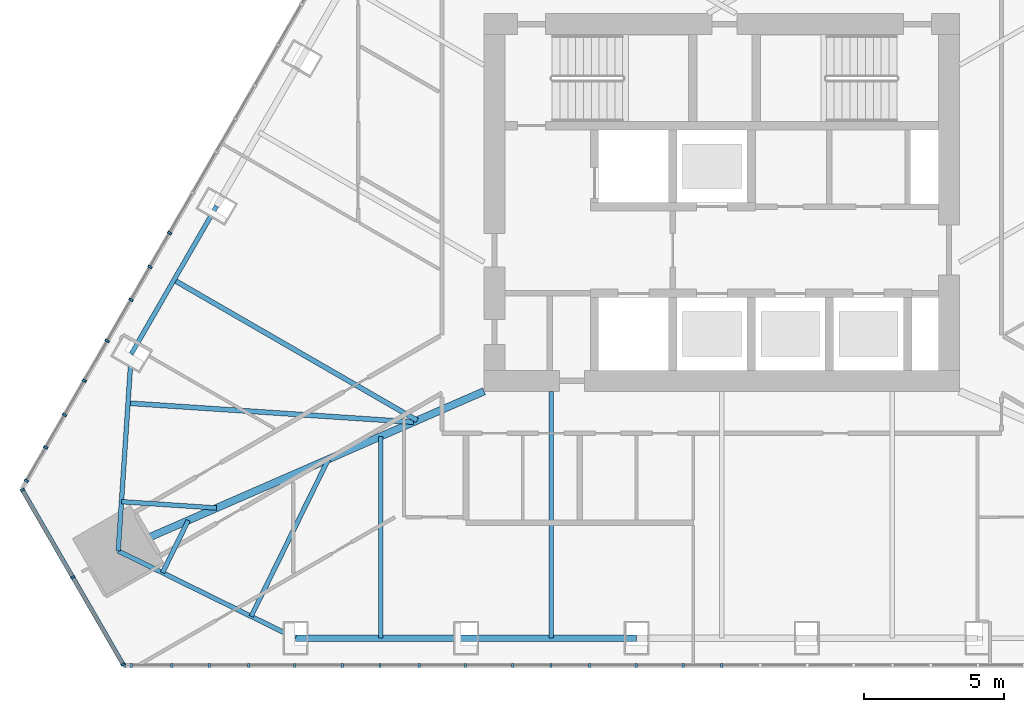
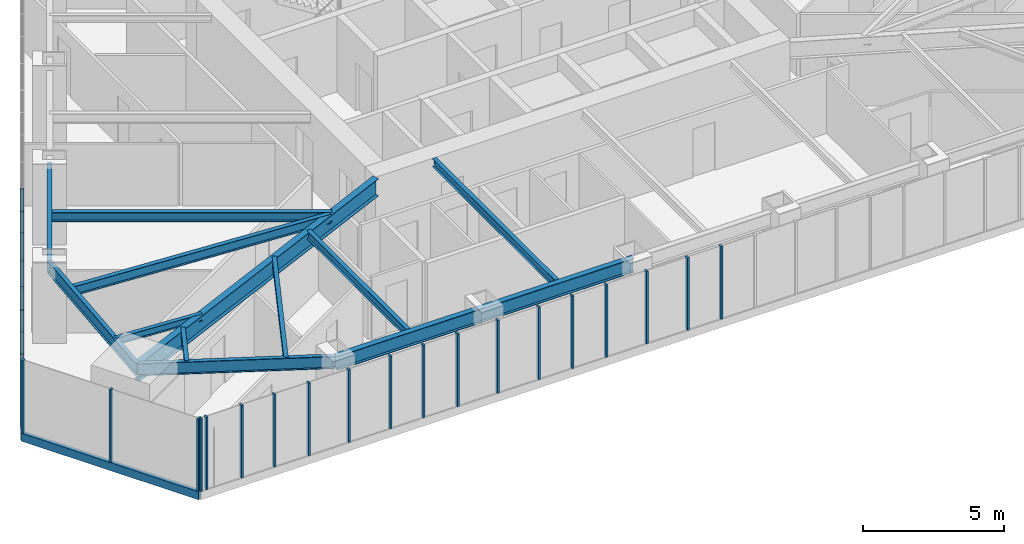
# One storey, part 2 of 20: 28 members, 12 beams, 3 elements without a shape of their own.
"""IFC4 building model written with IfcOpenShell, lengths in metres."""

from ifc_helpers import new_model, si_unit, direction, frame, origin, origin_2d, place, context, subcontext, project, spatial, rectangle, i_section, extrude, material, layer, layer_set, material_profile, profile_set, type_object, element, aggregate, save


model = new_model("IFC4")

# Units and contexts
model_context = context("Model", 3, precision=1e-05, world=origin(), true_north=direction((0.0, 1.0)))
body_context = subcontext(model_context, "Body", "Model", "MODEL_VIEW")
ifc_project = project(units=[si_unit("LENGTHUNIT", "METRE"), si_unit("AREAUNIT", "SQUARE_METRE"), si_unit("VOLUMEUNIT", "CUBIC_METRE"), si_unit("PLANEANGLEUNIT", "RADIAN"), si_unit("MASSUNIT", "GRAM", prefix="KILO")], contexts=[model_context])

# Site, building, storey
site_placement = place(None, origin())
site = spatial("IfcSite", under=ifc_project, at=site_placement, CompositionType="ELEMENT")
building_placement = place(site_placement, origin())
building = spatial("IfcBuilding", under=site, at=building_placement, Name="Firuza Gate Tower and Library", CompositionType="ELEMENT")
storey_placement = place(building_placement, frame((0.0, 0.0, 305.60009765625)))
storey = spatial("IfcBuildingStorey", under=building, at=storey_placement, Name="L74", CompositionType="ELEMENT", Elevation=305.60009765625)

# Curtain wall, members
ifc_material_1 = material(Name="Aluminium 6063-T6", Category="aluminium")
ifc_layer_1 = layer(ifc_material_1, 0.14990234375)
ifc_layer_set_1 = layer_set([ifc_layer_1], Name="Unitised curtain wall, residences")
curtain_wall_type_1 = type_object("IfcCurtainWallType", Name="Unitised curtain wall, residences", PredefinedType="NOTDEFINED", material=ifc_layer_set_1)
placement = place(storey_placement, origin())
curtain_wall_1 = element("IfcCurtainWall", 1, at=placement, inside=storey, type_object=curtain_wall_type_1, Name="CW3 L74 S face", PredefinedType="NOTDEFINED")
ifc_material_2 = material(Name="Aluminium 6063-T6", Category="aluminium")
ifc_material_profile_1 = material_profile(ifc_material_2, rectangle(XDim=0.14990234375, YDim=0.080078125, at=origin_2d()))
ifc_profile_set_1 = profile_set([ifc_material_profile_1], Name="Aluminium 6063-T6")
member_type_1 = type_object("IfcMemberType", Name="Curtain wall mullion 80x150", PredefinedType="MULLION", material=ifc_profile_set_1)
member_1_placement = place(storey_placement, frame((53.66064453125, 58.44970703125, 0.14990234375), z_axis=(0.0, 0.0, 1.0), x_axis=(0.0, 1.0, 0.0)))
member_1 = element("IfcMember", 2, at=member_1_placement, type_object=member_type_1, Name="Mullion", PredefinedType="MULLION", context=body_context, shape_type="SweptSolid", body=[
    extrude(rectangle(XDim=0.14990234375, YDim=0.080078125, at=origin_2d()), origin(), (0.0, 0.0, 1.0), 3.14990234375),
])
member_2_placement = place(storey_placement, frame((56.6748046875, 58.44970703125, 0.14990234375), z_axis=(0.0, 0.0, 1.0), x_axis=(0.0, 1.0, 0.0)))
member_2 = element("IfcMember", 3, at=member_2_placement, type_object=member_type_1, Name="Mullion", PredefinedType="MULLION", context=body_context, shape_type="SweptSolid", body=[
    extrude(rectangle(XDim=0.14990234375, YDim=0.080078125, at=origin_2d()), origin(), (0.0, 0.0, 1.0), 3.14990234375),
])
member_3_placement = place(storey_placement, frame((59.72900390625, 58.44970703125, 0.14990234375), z_axis=(0.0, 0.0, 1.0), x_axis=(0.0, 1.0, 0.0)))
member_3 = element("IfcMember", 4, at=member_3_placement, type_object=member_type_1, Name="Mullion", PredefinedType="MULLION", context=body_context, shape_type="SweptSolid", body=[
    extrude(rectangle(XDim=0.14990234375, YDim=0.080078125, at=origin_2d()), origin(), (0.0, 0.0, 1.0), 3.14990234375),
])
member_4_placement = place(storey_placement, frame((62.783203125, 58.44970703125, 0.14990234375), z_axis=(0.0, 0.0, 1.0), x_axis=(0.0, 1.0, 0.0)))
member_4 = element("IfcMember", 5, at=member_4_placement, type_object=member_type_1, Name="Mullion", PredefinedType="MULLION", context=body_context, shape_type="SweptSolid", body=[
    extrude(rectangle(XDim=0.14990234375, YDim=0.080078125, at=origin_2d()), origin(), (0.0, 0.0, 1.0), 3.14990234375),
])
member_5_placement = place(storey_placement, frame((65.83740234375, 58.44970703125, 0.14990234375), z_axis=(0.0, 0.0, 1.0), x_axis=(0.0, 1.0, 0.0)))
member_5 = element("IfcMember", 6, at=member_5_placement, type_object=member_type_1, Name="Mullion", PredefinedType="MULLION", context=body_context, shape_type="SweptSolid", body=[
    extrude(rectangle(XDim=0.14990234375, YDim=0.080078125, at=origin_2d()), origin(), (0.0, 0.0, 1.0), 3.14990234375),
])
member_6_placement = place(storey_placement, frame((68.8916015625, 58.44970703125, 0.14990234375), z_axis=(0.0, 0.0, 1.0), x_axis=(0.0, 1.0, 0.0)))
member_6 = element("IfcMember", 7, at=member_6_placement, type_object=member_type_1, Name="Mullion", PredefinedType="MULLION", context=body_context, shape_type="SweptSolid", body=[
    extrude(rectangle(XDim=0.14990234375, YDim=0.080078125, at=origin_2d()), origin(), (0.0, 0.0, 1.0), 3.14990234375),
])
member_7_placement = place(storey_placement, frame((71.94580078125, 58.44970703125, 0.14990234375), z_axis=(0.0, 0.0, 1.0), x_axis=(0.0, 1.0, 0.0)))
member_7 = element("IfcMember", 8, at=member_7_placement, type_object=member_type_1, Name="Mullion", PredefinedType="MULLION", context=body_context, shape_type="SweptSolid", body=[
    extrude(rectangle(XDim=0.14990234375, YDim=0.080078125, at=origin_2d()), origin(), (0.0, 0.0, 1.0), 3.14990234375),
])
member_8_placement = place(storey_placement, frame((75.0, 58.44970703125, 0.14990234375), z_axis=(0.0, 0.0, 1.0), x_axis=(0.0, 1.0, 0.0)))
member_8 = element("IfcMember", 9, at=member_8_placement, type_object=member_type_1, Name="Mullion", PredefinedType="MULLION", context=body_context, shape_type="SweptSolid", body=[
    extrude(rectangle(XDim=0.14990234375, YDim=0.080078125, at=origin_2d()), origin(), (0.0, 0.0, 1.0), 3.14990234375),
])
member_9_placement = place(storey_placement, frame((53.88671875, 58.44970703125, 0.14990234375), z_axis=(0.0, 0.0, 1.0), x_axis=(0.0, 1.0, 0.0)))
member_9 = element("IfcMember", 10, at=member_9_placement, type_object=member_type_1, Name="Mullion", PredefinedType="MULLION", context=body_context, shape_type="SweptSolid", body=[
    extrude(rectangle(XDim=0.14990234375, YDim=0.080078125, at=origin_2d()), origin(), (0.0, 0.0, 1.0), 3.14990234375),
])
member_10_placement = place(storey_placement, frame((55.33349609375, 58.44970703125, 0.14990234375), z_axis=(0.0, 0.0, 1.0), x_axis=(0.0, 1.0, 0.0)))
member_10 = element("IfcMember", 11, at=member_10_placement, type_object=member_type_1, Name="Mullion", PredefinedType="MULLION", context=body_context, shape_type="SweptSolid", body=[
    extrude(rectangle(XDim=0.14990234375, YDim=0.080078125, at=origin_2d()), origin(), (0.0, 0.0, 1.0), 3.14990234375),
])
member_11_placement = place(storey_placement, frame((58.090576171875, 58.44970703125, 0.14990234375), z_axis=(0.0, 0.0, 1.0), x_axis=(0.0, 1.0, 0.0)))
member_11 = element("IfcMember", 12, at=member_11_placement, type_object=member_type_1, Name="Mullion", PredefinedType="MULLION", context=body_context, shape_type="SweptSolid", body=[
    extrude(rectangle(XDim=0.14990234375, YDim=0.080078125, at=origin_2d()), origin(), (0.0, 0.0, 1.0), 3.14990234375),
])
member_12_placement = place(storey_placement, frame((61.429443359375, 58.44970703125, 0.14990234375), z_axis=(0.0, 0.0, 1.0), x_axis=(0.0, 1.0, 0.0)))
member_12 = element("IfcMember", 13, at=member_12_placement, type_object=member_type_1, Name="Mullion", PredefinedType="MULLION", context=body_context, shape_type="SweptSolid", body=[
    extrude(rectangle(XDim=0.14990234375, YDim=0.080078125, at=origin_2d()), origin(), (0.0, 0.0, 1.0), 3.14990234375),
])
member_13_placement = place(storey_placement, frame((64.1865234375, 58.44970703125, 0.14990234375), z_axis=(0.0, 0.0, 1.0), x_axis=(0.0, 1.0, 0.0)))
member_13 = element("IfcMember", 14, at=member_13_placement, type_object=member_type_1, Name="Mullion", PredefinedType="MULLION", context=body_context, shape_type="SweptSolid", body=[
    extrude(rectangle(XDim=0.14990234375, YDim=0.080078125, at=origin_2d()), origin(), (0.0, 0.0, 1.0), 3.14990234375),
])
member_14_placement = place(storey_placement, frame((67.525390625, 58.44970703125, 0.14990234375), z_axis=(0.0, 0.0, 1.0), x_axis=(0.0, 1.0, 0.0)))
member_14 = element("IfcMember", 15, at=member_14_placement, type_object=member_type_1, Name="Mullion", PredefinedType="MULLION", context=body_context, shape_type="SweptSolid", body=[
    extrude(rectangle(XDim=0.14990234375, YDim=0.080078125, at=origin_2d()), origin(), (0.0, 0.0, 1.0), 3.14990234375),
])
member_15_placement = place(storey_placement, frame((70.28271484375, 58.44970703125, 0.14990234375), z_axis=(0.0, 0.0, 1.0), x_axis=(0.0, 1.0, 0.0)))
member_15 = element("IfcMember", 16, at=member_15_placement, type_object=member_type_1, Name="Mullion", PredefinedType="MULLION", context=body_context, shape_type="SweptSolid", body=[
    extrude(rectangle(XDim=0.14990234375, YDim=0.080078125, at=origin_2d()), origin(), (0.0, 0.0, 1.0), 3.14990234375),
])
member_16_placement = place(storey_placement, frame((73.621337890625, 58.44970703125, 0.14990234375), z_axis=(0.0, 0.0, 1.0), x_axis=(0.0, 1.0, 0.0)))
member_16 = element("IfcMember", 17, at=member_16_placement, type_object=member_type_1, Name="Mullion", PredefinedType="MULLION", context=body_context, shape_type="SweptSolid", body=[
    extrude(rectangle(XDim=0.14990234375, YDim=0.080078125, at=origin_2d()), origin(), (0.0, 0.0, 1.0), 3.14990234375),
])
aggregate(curtain_wall_1, [member_1, member_2, member_3, member_4, member_5, member_6, member_7, member_8, member_9, member_10, member_11, member_12, member_13, member_14, member_15, member_16])

curtain_wall_2 = element("IfcCurtainWall", 18, at=placement, inside=storey, type_object=curtain_wall_type_1, Name="CW3 L74 W face", PredefinedType="NOTDEFINED")
member_17_placement = place(storey_placement, frame((54.55859375, 72.695068359375, 0.14990234375), z_axis=(0.0, 0.0, 1.0), x_axis=(0.866025403784, -0.5, 0.0)))
member_17 = element("IfcMember", 19, at=member_17_placement, type_object=member_type_1, Name="Mullion", PredefinedType="MULLION", context=body_context, shape_type="SweptSolid", body=[
    extrude(rectangle(XDim=0.14990234375, YDim=0.080078125, at=origin_2d()), origin(), (0.0, 0.0, 1.0), 3.14990234375),
])
member_18_placement = place(storey_placement, frame((53.031494140625, 70.050048828125, 0.14990234375), z_axis=(0.0, 0.0, 1.0), x_axis=(0.866025403784, -0.5, 0.0)))
member_18 = element("IfcMember", 20, at=member_18_placement, type_object=member_type_1, Name="Mullion", PredefinedType="MULLION", context=body_context, shape_type="SweptSolid", body=[
    extrude(rectangle(XDim=0.14990234375, YDim=0.080078125, at=origin_2d()), origin(), (0.0, 0.0, 1.0), 3.14990234375),
])
member_19_placement = place(storey_placement, frame((51.50439453125, 67.405029296875, 0.14990234375), z_axis=(0.0, 0.0, 1.0), x_axis=(0.866025403784, -0.5, 0.0)))
member_19 = element("IfcMember", 21, at=member_19_placement, type_object=member_type_1, Name="Mullion", PredefinedType="MULLION", context=body_context, shape_type="SweptSolid", body=[
    extrude(rectangle(XDim=0.14990234375, YDim=0.080078125, at=origin_2d()), origin(), (0.0, 0.0, 1.0), 3.14990234375),
])
member_20_placement = place(storey_placement, frame((55.26025390625, 73.910400390625, 0.14990234375), z_axis=(0.0, 0.0, 1.0), x_axis=(0.866025403784, -0.5, 0.0)))
member_20 = element("IfcMember", 22, at=member_20_placement, type_object=member_type_1, Name="Mullion", PredefinedType="MULLION", context=body_context, shape_type="SweptSolid", body=[
    extrude(rectangle(XDim=0.14990234375, YDim=0.080078125, at=origin_2d()), origin(), (0.0, 0.0, 1.0), 3.14990234375),
])
member_21_placement = place(storey_placement, frame((53.8818359375, 71.522705078125, 0.14990234375), z_axis=(0.0, 0.0, 1.0), x_axis=(0.866025403784, -0.5, 0.0)))
member_21 = element("IfcMember", 23, at=member_21_placement, type_object=member_type_1, Name="Mullion", PredefinedType="MULLION", context=body_context, shape_type="SweptSolid", body=[
    extrude(rectangle(XDim=0.14990234375, YDim=0.080078125, at=origin_2d()), origin(), (0.0, 0.0, 1.0), 3.14990234375),
])
member_22_placement = place(storey_placement, frame((52.21240234375, 68.631103515625, 0.14990234375), z_axis=(0.0, 0.0, 1.0), x_axis=(0.866025403784, -0.5, 0.0)))
member_22 = element("IfcMember", 24, at=member_22_placement, type_object=member_type_1, Name="Mullion", PredefinedType="MULLION", context=body_context, shape_type="SweptSolid", body=[
    extrude(rectangle(XDim=0.14990234375, YDim=0.080078125, at=origin_2d()), origin(), (0.0, 0.0, 1.0), 3.14990234375),
])
member_23_placement = place(storey_placement, frame((50.833740234375, 66.243408203125, 0.14990234375), z_axis=(0.0, 0.0, 1.0), x_axis=(0.866025403784, -0.5, 0.0)))
member_23 = element("IfcMember", 25, at=member_23_placement, type_object=member_type_1, Name="Mullion", PredefinedType="MULLION", context=body_context, shape_type="SweptSolid", body=[
    extrude(rectangle(XDim=0.14990234375, YDim=0.080078125, at=origin_2d()), origin(), (0.0, 0.0, 1.0), 3.14990234375),
])
member_24_placement = place(storey_placement, frame((50.14306640625, 65.046875, 0.14990234375), z_axis=(0.0, 0.0, 1.0), x_axis=(0.866025403784, -0.5, 0.0)))
member_24 = element("IfcMember", 26, at=member_24_placement, type_object=member_type_1, Name="Mullion", PredefinedType="MULLION", context=body_context, shape_type="SweptSolid", body=[
    extrude(rectangle(XDim=0.14990234375, YDim=0.080078125, at=origin_2d()), origin(), (0.0, 0.0, 1.0), 3.14990234375),
])
aggregate(curtain_wall_2, [member_17, member_18, member_19, member_20, member_21, member_22, member_23, member_24])

ifc_material_3 = material(Name="Aluminium 6063-T6", Category="aluminium")
ifc_layer_2 = layer(ifc_material_3, 0.14990234375)
ifc_layer_set_2 = layer_set([ifc_layer_2], Name="Corner curtain wall, chamfers")
curtain_wall_type_2 = type_object("IfcCurtainWallType", Name="Corner curtain wall, chamfers", PredefinedType="NOTDEFINED", material=ifc_layer_set_2)
curtain_wall_3 = element("IfcCurtainWall", 27, at=placement, inside=storey, type_object=curtain_wall_type_2, Name="CW4 L74 SW corner", PredefinedType="NOTDEFINED")
member_25_placement = place(storey_placement, frame((49.997314453125, 64.7255859375, 0.14990234375), z_axis=(0.0, 0.0, 1.0), x_axis=(0.866025403784, 0.5, 0.0)))
member_25 = element("IfcMember", 28, at=member_25_placement, type_object=member_type_1, Name="Mullion", PredefinedType="MULLION", context=body_context, shape_type="SweptSolid", body=[
    extrude(rectangle(XDim=0.14990234375, YDim=0.080078125, at=origin_2d()), origin(), (0.0, 0.0, 1.0), 3.14990234375),
])
member_26_placement = place(storey_placement, frame((51.799072265625, 61.60498046875, 0.14990234375), z_axis=(0.0, 0.0, 1.0), x_axis=(0.866025403784, 0.5, 0.0)))
member_26 = element("IfcMember", 29, at=member_26_placement, type_object=member_type_1, Name="Mullion", PredefinedType="MULLION", context=body_context, shape_type="SweptSolid", body=[
    extrude(rectangle(XDim=0.14990234375, YDim=0.080078125, at=origin_2d()), origin(), (0.0, 0.0, 1.0), 3.14990234375),
])
member_27_placement = place(storey_placement, frame((53.6005859375, 58.484375, 0.14990234375), z_axis=(0.0, 0.0, 1.0), x_axis=(0.866025403784, 0.5, 0.0)))
member_27 = element("IfcMember", 30, at=member_27_placement, type_object=member_type_1, Name="Mullion", PredefinedType="MULLION", context=body_context, shape_type="SweptSolid", body=[
    extrude(rectangle(XDim=0.14990234375, YDim=0.080078125, at=origin_2d()), origin(), (0.0, 0.0, 1.0), 3.14990234375),
])
ifc_material_4 = material(Name="Aluminium 6063-T6", Category="aluminium")
ifc_material_profile_2 = material_profile(ifc_material_4, rectangle(XDim=0.14990234375, YDim=0.35009765625, at=origin_2d()))
ifc_profile_set_2 = profile_set([ifc_material_profile_2], Name="Aluminium 6063-T6")
member_type_2 = type_object("IfcMemberType", Name="Curtain wall transom 350x150", PredefinedType="USERDEFINED", material=ifc_profile_set_2)
member_28_placement = place(storey_placement, frame((49.977294921875, 64.760009765625, -0.025146484375), z_axis=(0.500005719219, -0.866022101766, 0.0), x_axis=(0.866022101766, 0.500005719219, 0.0)))
member_28 = element("IfcMember", 31, at=member_28_placement, type_object=member_type_2, Name="Transom", ObjectType="TRANSOM", PredefinedType="USERDEFINED", context=body_context, shape_type="SweptSolid", body=[
    extrude(rectangle(XDim=0.14990234375, YDim=0.35009765625, at=origin_2d()), origin(), (0.0, 0.0, 1.0), 7.28662109375),
])
aggregate(curtain_wall_3, [member_25, member_26, member_27, member_28])

# Beams
ifc_material_5 = material(Name="Steel S355", Category="steel")
ifc_material_profile_3 = material_profile(ifc_material_5, i_section(OverallWidth=0.1650390625, OverallDepth=0.31005859375, WebThickness=0.005859375, FlangeThickness=0.009765625, at=origin_2d()))
ifc_profile_set_3 = profile_set([ifc_material_profile_3], Name="Steel S355")
beam_type_1 = type_object("IfcBeamType", Name="W310x39 Floor beam", PredefinedType="JOIST", material=ifc_profile_set_3)
beam_1_placement = place(storey_placement, frame((53.5400390625, 64.30419921875, 3.14501953125), z_axis=(0.997798132609, -0.066324102419, 0.0), x_axis=(0.066324102419, 0.997798132609, 0.0)))
element("IfcBeam", 32, at=beam_1_placement, inside=storey, type_object=beam_type_1, Name="Floor beam L74 s01", PredefinedType="JOIST", context=body_context, shape_type="SweptSolid", body=[
    extrude(i_section(OverallWidth=0.1650390625, OverallDepth=0.31005859375, WebThickness=0.005859375, FlangeThickness=0.009765625, at=origin_2d()), origin(), (0.0, 0.0, 1.0), 3.40869140625),
])
beam_2_placement = place(storey_placement, frame((55.007080078125, 61.762939453125, 3.14501953125), z_axis=(0.44149718948, 0.8972626325, 0.0), x_axis=(-0.8972626325, 0.44149718948, 0.0)))
element("IfcBeam", 33, at=beam_2_placement, inside=storey, type_object=beam_type_1, Name="Floor beam L74 s10", PredefinedType="JOIST", context=body_context, shape_type="SweptSolid", body=[
    extrude(i_section(OverallWidth=0.1650390625, OverallDepth=0.31005859375, WebThickness=0.005859375, FlangeThickness=0.009765625, at=origin_2d()), origin(), (0.0, 0.0, 1.0), 2.08740234375),
])
beam_3_placement = place(storey_placement, frame((58.17578125, 60.2041015625, 3.14501953125), z_axis=(0.44141897367, 0.897301114278, 0.0), x_axis=(-0.897301114278, 0.44141897367, 0.0)))
element("IfcBeam", 34, at=beam_3_placement, inside=storey, type_object=beam_type_1, Name="Floor beam L74 s11", PredefinedType="JOIST", context=body_context, shape_type="SweptSolid", body=[
    extrude(i_section(OverallWidth=0.1650390625, OverallDepth=0.31005859375, WebThickness=0.005859375, FlangeThickness=0.009765625, at=origin_2d()), origin(), (0.0, 0.0, 1.0), 6.262451171875),
])
ifc_material_6 = material(Name="Steel S355", Category="steel")
ifc_material_profile_4 = material_profile(ifc_material_6, i_section(OverallWidth=0.1708984375, OverallDepth=0.35498046875, WebThickness=0.007080078125, FlangeThickness=0.01171875, at=origin_2d()))
ifc_profile_set_4 = profile_set([ifc_material_profile_4], Name="Steel S355")
beam_type_2 = type_object("IfcBeamType", Name="W360x51 Floor beam", PredefinedType="JOIST", material=ifc_profile_set_4)
beam_4_placement = place(storey_placement, frame((62.80810546875, 59.4248046875, 3.122314453125), z_axis=(0.0, 1.0, 0.0), x_axis=(-1.0, 0.0, 0.0)))
element("IfcBeam", 35, at=beam_4_placement, inside=storey, type_object=beam_type_2, Name="Floor beam L74 s20", PredefinedType="JOIST", context=body_context, shape_type="SweptSolid", body=[
    extrude(i_section(OverallWidth=0.1708984375, OverallDepth=0.35498046875, WebThickness=0.007080078125, FlangeThickness=0.01171875, at=origin_2d()), origin(), (0.0, 0.0, 1.0), 7.2138671875),
])
beam_5_placement = place(storey_placement, frame((68.904052734375, 59.4248046875, 3.122314453125), z_axis=(0.0, 1.0, 0.0), x_axis=(-1.0, 0.0, 0.0)))
element("IfcBeam", 36, at=beam_5_placement, inside=storey, type_object=beam_type_2, Name="Floor beam L74 s21", PredefinedType="JOIST", context=body_context, shape_type="SweptSolid", body=[
    extrude(i_section(OverallWidth=0.1708984375, OverallDepth=0.35498046875, WebThickness=0.007080078125, FlangeThickness=0.01171875, at=origin_2d()), origin(), (0.0, 0.0, 1.0), 8.8251953125),
])
ifc_material_7 = material(Name="Steel S355", Category="steel")
ifc_material_profile_5 = material_profile(ifc_material_7, i_section(OverallWidth=0.177978515625, OverallDepth=0.406982421875, WebThickness=0.0078125, FlangeThickness=0.0126953125, at=origin_2d()))
ifc_profile_set_5 = profile_set([ifc_material_profile_5], Name="Steel S355")
beam_type_3 = type_object("IfcBeamType", Name="W410x60 Floor beam", PredefinedType="JOIST", material=ifc_profile_set_5)
beam_6_placement = place(storey_placement, frame((53.774169921875, 67.82763671875, 3.096435546875), z_axis=(0.997796657436, -0.066346291597, 0.0), x_axis=(0.066346291597, 0.997796657436, 0.0)))
element("IfcBeam", 37, at=beam_6_placement, inside=storey, type_object=beam_type_3, Name="Floor beam L74 s00", PredefinedType="JOIST", context=body_context, shape_type="SweptSolid", body=[
    extrude(i_section(OverallWidth=0.177978515625, OverallDepth=0.406982421875, WebThickness=0.0078125, FlangeThickness=0.0126953125, at=origin_2d()), origin(), (0.0, 0.0, 1.0), 10.22607421875),
])
beam_7_placement = place(storey_placement, frame((55.41552734375, 72.22900390625, 3.096435546875), z_axis=(0.866029312411, -0.499993229999, 0.0), x_axis=(0.499993229999, 0.866029312411, 0.0)))
element("IfcBeam", 38, at=beam_7_placement, inside=storey, type_object=beam_type_3, Name="Floor beam L74 s84", PredefinedType="JOIST", context=body_context, shape_type="SweptSolid", body=[
    extrude(i_section(OverallWidth=0.177978515625, OverallDepth=0.406982421875, WebThickness=0.0078125, FlangeThickness=0.0126953125, at=origin_2d()), origin(), (0.0, 0.0, 1.0), 10.042236328125),
])
ifc_material_8 = material(Name="Steel S355", Category="steel")
ifc_material_profile_6 = material_profile(ifc_material_8, i_section(OverallWidth=0.166015625, OverallDepth=0.534912109375, WebThickness=0.01025390625, FlangeThickness=0.0166015625, at=origin_2d()))
ifc_profile_set_6 = profile_set([ifc_material_profile_6], Name="Steel S355")
beam_type_4 = type_object("IfcBeamType", Name="W530x85 Edge beam", PredefinedType="SPANDREL", material=ifc_profile_set_6)
for number, where, z_axis, x_axis, name in (
    (39, (53.891357421875, 69.58935546875, 3.032470703125), (-0.066337752051, -0.997797225218, 0.0), (0.997797225218, -0.066337752051, 0.0), "Edge beam L74 e00"),
    (40, (53.4228515625, 62.54248046875, 3.032470703125), (0.897291608696, -0.44143829576, 0.0), (0.44143829576, 0.897291608696, 0.0), "Edge beam L74 e10"),
):
    element("IfcBeam", number, at=place(storey_placement, frame(where, z_axis=z_axis, x_axis=x_axis)), inside=storey, type_object=beam_type_4, Name=name, PredefinedType="SPANDREL", context=body_context, shape_type="SweptSolid", body=[
        extrude(i_section(OverallWidth=0.166015625, OverallDepth=0.534912109375, WebThickness=0.01025390625, FlangeThickness=0.0166015625, at=origin_2d()), origin(), (0.0, 0.0, 1.0), 7.0625),
    ])
beam_8_placement = place(storey_placement, frame((56.939453125, 74.86865234375, 3.032470703125), z_axis=(-0.500011347202, -0.866018852375, 0.0), x_axis=(0.866018852375, -0.500011347202, 0.0)))
element("IfcBeam", 41, at=beam_8_placement, inside=storey, type_object=beam_type_4, Name="Edge beam L74 e84", PredefinedType="SPANDREL", context=body_context, shape_type="SweptSolid", body=[
    extrude(i_section(OverallWidth=0.166015625, OverallDepth=0.534912109375, WebThickness=0.01025390625, FlangeThickness=0.0166015625, at=origin_2d()), origin(), (0.0, 0.0, 1.0), 6.095947265625),
])
ifc_material_9 = material(Name="Steel S355", Category="steel")
ifc_material_profile_7 = material_profile(ifc_material_9, i_section(OverallWidth=0.22900390625, OverallDepth=0.612060546875, WebThickness=0.011962890625, FlangeThickness=0.01953125, at=origin_2d()))
ifc_profile_set_7 = profile_set([ifc_material_profile_7], Name="Steel S355")
beam_type_5 = type_object("IfcBeamType", Name="W610x125 Edge beam", PredefinedType="SPANDREL", material=ifc_profile_set_7)
beam_9_placement = place(storey_placement, frame((59.760009765625, 59.4248046875, 2.993896484375), z_axis=(1.0, 0.0, 0.0), x_axis=(0.0, 1.0, 0.0)))
element("IfcBeam", 42, at=beam_9_placement, inside=storey, type_object=beam_type_5, Name="Edge beam L74 e20", PredefinedType="SPANDREL", context=body_context, shape_type="SweptSolid", body=[
    extrude(i_section(OverallWidth=0.22900390625, OverallDepth=0.612060546875, WebThickness=0.011962890625, FlangeThickness=0.01953125, at=origin_2d()), origin(), (0.0, 0.0, 1.0), 12.19189453125),
])
ifc_material_10 = material(Name="Steel S355", Category="steel")
ifc_material_profile_8 = material_profile(ifc_material_10, i_section(OverallWidth=0.264892578125, OverallDepth=0.7529296875, WebThickness=0.01318359375, FlangeThickness=0.01708984375, at=origin_2d()))
ifc_profile_set_8 = profile_set([ifc_material_profile_8], Name="Steel S355")
beam_type_6 = type_object("IfcBeamType", Name="W760x147 Girder", PredefinedType="BEAM", material=ifc_profile_set_8)
beam_10_placement = place(storey_placement, frame((53.4228515625, 62.54248046875, 2.92333984375), z_axis=(0.916510410118, 0.400010835034, 0.0), x_axis=(-0.400010835034, 0.916510410118, 0.0)))
element("IfcBeam", 43, at=beam_10_placement, inside=storey, type_object=beam_type_6, Name="Girder L74 gSW", PredefinedType="BEAM", context=body_context, shape_type="SweptSolid", body=[
    extrude(i_section(OverallWidth=0.264892578125, OverallDepth=0.7529296875, WebThickness=0.01318359375, FlangeThickness=0.01708984375, at=origin_2d()), origin(), (0.0, 0.0, 1.0), 14.268310546875),
])

save(model, "model.ifc")
